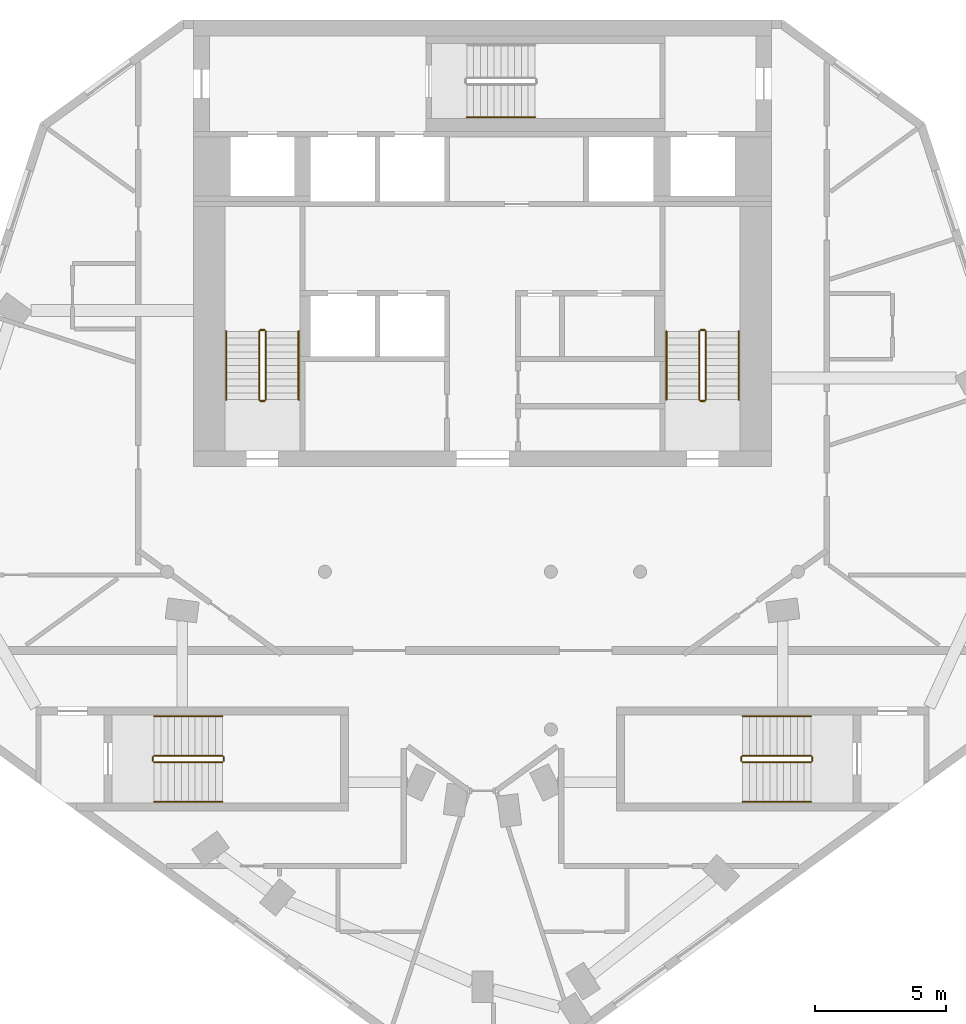
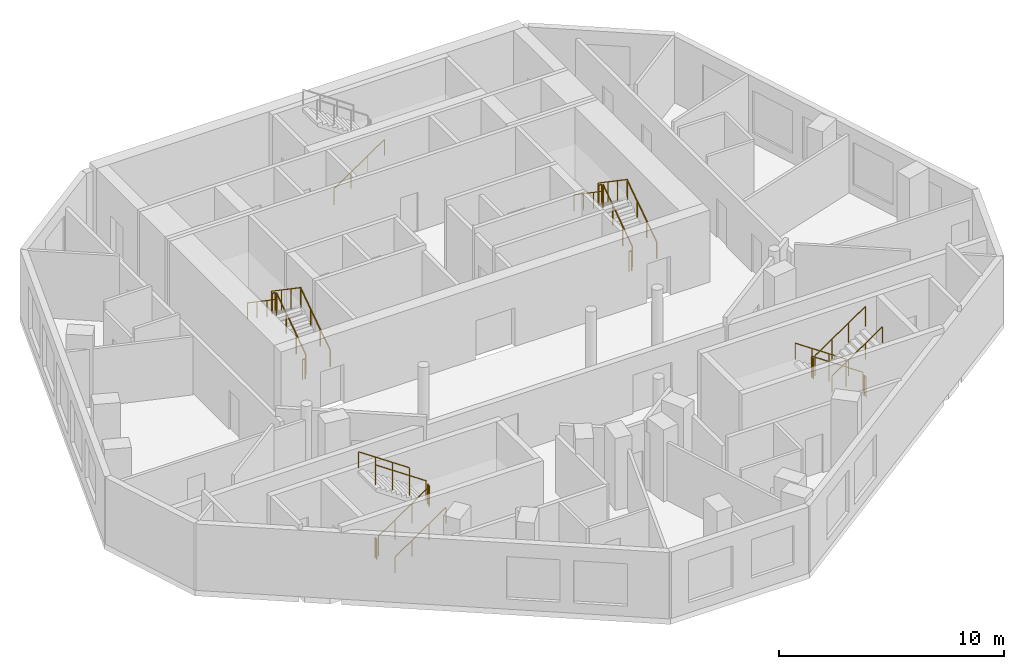
# One storey, part 7 of 8: 25 railings.
"""IFC4 building model written with IfcOpenShell, lengths in metres."""

from ifc_helpers import new_model, si_unit, direction, frame, origin, origin_2d, place, context, subcontext, project, spatial, circle, extrude, material, type_object, element, save


model = new_model("IFC4")

# Units and contexts
model_context = context("Model", 3, precision=1e-05, world=origin(), true_north=direction((0.0, 1.0)))
body_context = subcontext(model_context, "Body", "Model", "MODEL_VIEW")
ifc_project = project(units=[si_unit("LENGTHUNIT", "METRE"), si_unit("AREAUNIT", "SQUARE_METRE"), si_unit("VOLUMEUNIT", "CUBIC_METRE"), si_unit("PLANEANGLEUNIT", "RADIAN"), si_unit("MASSUNIT", "GRAM", prefix="KILO")], contexts=[model_context])

# Site, building, storey
site_placement = place(None, origin())
site = spatial("IfcSite", under=ifc_project, at=site_placement, CompositionType="ELEMENT")
building_placement = place(site_placement, origin())
building = spatial("IfcBuilding", under=site, at=building_placement, Name="White Candle Pilgrim Tower", CompositionType="ELEMENT")
storey_placement = place(building_placement, frame((0.0, 0.0, 313.89990234375)))
storey = spatial("IfcBuildingStorey", under=building, at=storey_placement, Name="L74", CompositionType="ELEMENT", Elevation=313.89990234375)

# Railings
ifc_material = material(Name="Stainless steel", Category="steel")
railing_type_1 = type_object("IfcRailingType", Name="Stair guard stainless steel 1100 mm", PredefinedType="GUARDRAIL", material=ifc_material)
railing_1_placement = place(storey_placement, frame((61.75, 73.550048828125, 0.177490234375)))
element("IfcRailing", 1, at=railing_1_placement, inside=storey, type_object=railing_type_1, Name="L74 ST1 stair guard 1", PredefinedType="GUARDRAIL", context=body_context, shape_type="SweptSolid", body=[
    extrude(circle(Radius=0.02392578125, at=origin_2d()), frame((0.0, 0.0, 1.076171875), z_axis=(0.0, 0.826215852431, 0.563353676824), x_axis=(-1.0, 0.0, 0.0)), (0.0, 0.0, 1.0), 3.146728515625),
    extrude(circle(Radius=0.02099609375, at=origin_2d()), origin(), (0.0, 0.0, 1.0), 1.052001953125),
    extrude(circle(Radius=0.02099609375, at=origin_2d()), frame((0.0, 0.86669921875, 0.5908203125)), (0.0, 0.0, 1.0), 1.052001953125),
    extrude(circle(Radius=0.02099609375, at=origin_2d()), frame((0.0, 1.733154296875, 1.181884765625)), (0.0, 0.0, 1.0), 1.052001953125),
    extrude(circle(Radius=0.02099609375, at=origin_2d()), frame((0.0, 2.599853515625, 1.772705078125)), (0.0, 0.0, 1.0), 1.052001953125),
])
railing_2_placement = place(storey_placement, frame((61.699951171875, 76.199951171875, 1.9501953125)))
element("IfcRailing", 2, at=railing_2_placement, inside=storey, type_object=railing_type_1, Name="L74 ST1 stair guard 2", PredefinedType="GUARDRAIL", context=body_context, shape_type="SweptSolid", body=[
    extrude(circle(Radius=0.02392578125, at=origin_2d()), frame((0.0, 0.0, 1.076171875), z_axis=(-1.0, 0.0, 0.0), x_axis=(0.0, -1.0, 0.0)), (0.0, 0.0, 1.0), 0.14990234375),
    extrude(circle(Radius=0.02099609375, at=origin_2d()), origin(), (0.0, 0.0, 1.0), 1.052001953125),
    extrude(circle(Radius=0.02099609375, at=origin_2d()), frame((-0.14990234375, 0.0, 0.0)), (0.0, 0.0, 1.0), 1.052001953125),
])
railing_3_placement = place(storey_placement, frame((61.5, 76.14990234375, 2.12744140625)))
element("IfcRailing", 3, at=railing_3_placement, inside=storey, type_object=railing_type_1, Name="L74 ST1 stair guard 3", PredefinedType="GUARDRAIL", context=body_context, shape_type="SweptSolid", body=[
    extrude(circle(Radius=0.02392578125, at=origin_2d()), frame((0.0, 0.0, 1.076171875), z_axis=(0.0, -0.826215852431, 0.563353676824), x_axis=(1.0, 0.0, 0.0)), (0.0, 0.0, 1.0), 3.146728515625),
    extrude(circle(Radius=0.02099609375, at=origin_2d()), origin(), (0.0, 0.0, 1.0), 1.052001953125),
    extrude(circle(Radius=0.02099609375, at=origin_2d()), frame((0.0, -0.86669921875, 0.5908203125)), (0.0, 0.0, 1.0), 1.052001953125),
    extrude(circle(Radius=0.02099609375, at=origin_2d()), frame((0.0, -1.733154296875, 1.181884765625)), (0.0, 0.0, 1.0), 1.052001953125),
    extrude(circle(Radius=0.02099609375, at=origin_2d()), frame((0.0, -2.599853515625, 1.772705078125)), (0.0, 0.0, 1.0), 1.052001953125),
])
railing_4_placement = place(storey_placement, frame((61.699951171875, 73.5, 0.0)))
element("IfcRailing", 4, at=railing_4_placement, inside=storey, type_object=railing_type_1, Name="L74 ST1 stair guard 4", PredefinedType="GUARDRAIL", context=body_context, shape_type="SweptSolid", body=[
    extrude(circle(Radius=0.02392578125, at=origin_2d()), frame((0.0, 0.0, 1.076171875), z_axis=(-1.0, 0.0, 0.0), x_axis=(0.0, -1.0, 0.0)), (0.0, 0.0, 1.0), 0.14990234375),
    extrude(circle(Radius=0.02099609375, at=origin_2d()), origin(), (0.0, 0.0, 1.0), 1.052001953125),
    extrude(circle(Radius=0.02099609375, at=origin_2d()), frame((-0.14990234375, 0.0, 0.0)), (0.0, 0.0, 1.0), 1.052001953125),
])
railing_5_placement = place(storey_placement, frame((78.5, 73.550048828125, 0.177490234375)))
element("IfcRailing", 5, at=railing_5_placement, inside=storey, type_object=railing_type_1, Name="L74 ST2 stair guard 1", PredefinedType="GUARDRAIL", context=body_context, shape_type="SweptSolid", body=[
    extrude(circle(Radius=0.02392578125, at=origin_2d()), frame((0.0, 0.0, 1.076171875), z_axis=(0.0, 0.826215852431, 0.563353676824), x_axis=(-1.0, 0.0, 0.0)), (0.0, 0.0, 1.0), 3.146728515625),
    extrude(circle(Radius=0.02099609375, at=origin_2d()), origin(), (0.0, 0.0, 1.0), 1.052001953125),
    extrude(circle(Radius=0.02099609375, at=origin_2d()), frame((0.0, 0.86669921875, 0.5908203125)), (0.0, 0.0, 1.0), 1.052001953125),
    extrude(circle(Radius=0.02099609375, at=origin_2d()), frame((0.0, 1.733154296875, 1.181884765625)), (0.0, 0.0, 1.0), 1.052001953125),
    extrude(circle(Radius=0.02099609375, at=origin_2d()), frame((0.0, 2.599853515625, 1.772705078125)), (0.0, 0.0, 1.0), 1.052001953125),
])
railing_6_placement = place(storey_placement, frame((78.449951171875, 76.199951171875, 1.9501953125)))
element("IfcRailing", 6, at=railing_6_placement, inside=storey, type_object=railing_type_1, Name="L74 ST2 stair guard 2", PredefinedType="GUARDRAIL", context=body_context, shape_type="SweptSolid", body=[
    extrude(circle(Radius=0.02392578125, at=origin_2d()), frame((0.0, 0.0, 1.076171875), z_axis=(-1.0, 0.0, 0.0), x_axis=(0.0, -1.0, 0.0)), (0.0, 0.0, 1.0), 0.14990234375),
    extrude(circle(Radius=0.02099609375, at=origin_2d()), origin(), (0.0, 0.0, 1.0), 1.052001953125),
    extrude(circle(Radius=0.02099609375, at=origin_2d()), frame((-0.14990234375, 0.0, 0.0)), (0.0, 0.0, 1.0), 1.052001953125),
])
railing_7_placement = place(storey_placement, frame((78.25, 76.14990234375, 2.12744140625)))
element("IfcRailing", 7, at=railing_7_placement, inside=storey, type_object=railing_type_1, Name="L74 ST2 stair guard 3", PredefinedType="GUARDRAIL", context=body_context, shape_type="SweptSolid", body=[
    extrude(circle(Radius=0.02392578125, at=origin_2d()), frame((0.0, 0.0, 1.076171875), z_axis=(0.0, -0.826215852431, 0.563353676824), x_axis=(1.0, 0.0, 0.0)), (0.0, 0.0, 1.0), 3.146728515625),
    extrude(circle(Radius=0.02099609375, at=origin_2d()), origin(), (0.0, 0.0, 1.0), 1.052001953125),
    extrude(circle(Radius=0.02099609375, at=origin_2d()), frame((0.0, -0.86669921875, 0.5908203125)), (0.0, 0.0, 1.0), 1.052001953125),
    extrude(circle(Radius=0.02099609375, at=origin_2d()), frame((0.0, -1.733154296875, 1.181884765625)), (0.0, 0.0, 1.0), 1.052001953125),
    extrude(circle(Radius=0.02099609375, at=origin_2d()), frame((0.0, -2.599853515625, 1.772705078125)), (0.0, 0.0, 1.0), 1.052001953125),
])
railing_8_placement = place(storey_placement, frame((78.449951171875, 73.5, 0.0)))
element("IfcRailing", 8, at=railing_8_placement, inside=storey, type_object=railing_type_1, Name="L74 ST2 stair guard 4", PredefinedType="GUARDRAIL", context=body_context, shape_type="SweptSolid", body=[
    extrude(circle(Radius=0.02392578125, at=origin_2d()), frame((0.0, 0.0, 1.076171875), z_axis=(-1.0, 0.0, 0.0), x_axis=(0.0, -1.0, 0.0)), (0.0, 0.0, 1.0), 0.14990234375),
    extrude(circle(Radius=0.02099609375, at=origin_2d()), origin(), (0.0, 0.0, 1.0), 1.052001953125),
    extrude(circle(Radius=0.02099609375, at=origin_2d()), frame((-0.14990234375, 0.0, 0.0)), (0.0, 0.0, 1.0), 1.052001953125),
])
railing_9_placement = place(storey_placement, frame((82.5, 60.0, 0.177490234375)))
element("IfcRailing", 9, at=railing_9_placement, inside=storey, type_object=railing_type_1, Name="L74 ST4 stair guard 1", PredefinedType="GUARDRAIL", context=body_context, shape_type="SweptSolid", body=[
    extrude(circle(Radius=0.02392578125, at=origin_2d()), frame((0.0, 0.0, 1.076171875), z_axis=(-0.826240473404, 0.0, 0.563317565952), x_axis=(0.0, -1.0, 0.0)), (0.0, 0.0, 1.0), 3.14697265625),
    extrude(circle(Radius=0.02099609375, at=origin_2d()), origin(), (0.0, 0.0, 1.0), 1.052001953125),
    extrude(circle(Radius=0.02099609375, at=origin_2d()), frame((-0.86669921875, 0.0, 0.5908203125)), (0.0, 0.0, 1.0), 1.052001953125),
    extrude(circle(Radius=0.02099609375, at=origin_2d()), frame((-1.7333984375, 0.0, 1.181884765625)), (0.0, 0.0, 1.0), 1.052001953125),
    extrude(circle(Radius=0.02099609375, at=origin_2d()), frame((-2.60009765625, 0.0, 1.772705078125)), (0.0, 0.0, 1.0), 1.052001953125),
])
railing_10_placement = place(storey_placement, frame((79.85009765625, 59.949951171875, 1.9501953125)))
element("IfcRailing", 10, at=railing_10_placement, inside=storey, type_object=railing_type_1, Name="L74 ST4 stair guard 2", PredefinedType="GUARDRAIL", context=body_context, shape_type="SweptSolid", body=[
    extrude(circle(Radius=0.02392578125, at=origin_2d()), frame((0.0, 0.0, 1.076171875), z_axis=(0.0, -1.0, 0.0), x_axis=(1.0, 0.0, 0.0)), (0.0, 0.0, 1.0), 0.14990234375),
    extrude(circle(Radius=0.02099609375, at=origin_2d()), origin(), (0.0, 0.0, 1.0), 1.052001953125),
    extrude(circle(Radius=0.02099609375, at=origin_2d()), frame((0.0, -0.14990234375, 0.0)), (0.0, 0.0, 1.0), 1.052001953125),
])
railing_11_placement = place(storey_placement, frame((79.89990234375, 59.75, 2.12744140625)))
element("IfcRailing", 11, at=railing_11_placement, inside=storey, type_object=railing_type_1, Name="L74 ST4 stair guard 3", PredefinedType="GUARDRAIL", context=body_context, shape_type="SweptSolid", body=[
    extrude(circle(Radius=0.02392578125, at=origin_2d()), frame((0.0, 0.0, 1.076171875), z_axis=(0.826240473404, 0.0, 0.563317565952), x_axis=(0.0, 1.0, 0.0)), (0.0, 0.0, 1.0), 3.14697265625),
    extrude(circle(Radius=0.02099609375, at=origin_2d()), origin(), (0.0, 0.0, 1.0), 1.052001953125),
    extrude(circle(Radius=0.02099609375, at=origin_2d()), frame((0.86669921875, 0.0, 0.5908203125)), (0.0, 0.0, 1.0), 1.052001953125),
    extrude(circle(Radius=0.02099609375, at=origin_2d()), frame((1.7333984375, 0.0, 1.181884765625)), (0.0, 0.0, 1.0), 1.052001953125),
    extrude(circle(Radius=0.02099609375, at=origin_2d()), frame((2.60009765625, 0.0, 1.772705078125)), (0.0, 0.0, 1.0), 1.052001953125),
])
railing_12_placement = place(storey_placement, frame((82.550048828125, 59.949951171875, 0.0)))
element("IfcRailing", 12, at=railing_12_placement, inside=storey, type_object=railing_type_1, Name="L74 ST4 stair guard 4", PredefinedType="GUARDRAIL", context=body_context, shape_type="SweptSolid", body=[
    extrude(circle(Radius=0.02392578125, at=origin_2d()), frame((0.0, 0.0, 1.076171875), z_axis=(0.0, -1.0, 0.0), x_axis=(1.0, 0.0, 0.0)), (0.0, 0.0, 1.0), 0.14990234375),
    extrude(circle(Radius=0.02099609375, at=origin_2d()), origin(), (0.0, 0.0, 1.0), 1.052001953125),
    extrude(circle(Radius=0.02099609375, at=origin_2d()), frame((0.0, -0.14990234375, 0.0)), (0.0, 0.0, 1.0), 1.052001953125),
])
railing_13_placement = place(storey_placement, frame((57.5, 59.75, 0.177490234375)))
element("IfcRailing", 13, at=railing_13_placement, inside=storey, type_object=railing_type_1, Name="L74 ST5 stair guard 1", PredefinedType="GUARDRAIL", context=body_context, shape_type="SweptSolid", body=[
    extrude(circle(Radius=0.02392578125, at=origin_2d()), frame((0.0, 0.0, 1.076171875), z_axis=(0.826240473404, 0.0, 0.563317565952), x_axis=(0.0, 1.0, 0.0)), (0.0, 0.0, 1.0), 3.14697265625),
    extrude(circle(Radius=0.02099609375, at=origin_2d()), origin(), (0.0, 0.0, 1.0), 1.052001953125),
    extrude(circle(Radius=0.02099609375, at=origin_2d()), frame((0.86669921875, 0.0, 0.5908203125)), (0.0, 0.0, 1.0), 1.052001953125),
    extrude(circle(Radius=0.02099609375, at=origin_2d()), frame((1.7333984375, 0.0, 1.181884765625)), (0.0, 0.0, 1.0), 1.052001953125),
    extrude(circle(Radius=0.02099609375, at=origin_2d()), frame((2.60009765625, 0.0, 1.772705078125)), (0.0, 0.0, 1.0), 1.052001953125),
])
railing_14_placement = place(storey_placement, frame((60.14990234375, 59.800048828125, 1.9501953125)))
element("IfcRailing", 14, at=railing_14_placement, inside=storey, type_object=railing_type_1, Name="L74 ST5 stair guard 2", PredefinedType="GUARDRAIL", context=body_context, shape_type="SweptSolid", body=[
    extrude(circle(Radius=0.02392578125, at=origin_2d()), frame((0.0, 0.0, 1.076171875), z_axis=(0.0, 1.0, 0.0), x_axis=(-1.0, 0.0, 0.0)), (0.0, 0.0, 1.0), 0.14990234375),
    extrude(circle(Radius=0.02099609375, at=origin_2d()), origin(), (0.0, 0.0, 1.0), 1.052001953125),
    extrude(circle(Radius=0.02099609375, at=origin_2d()), frame((0.0, 0.14990234375, 0.0)), (0.0, 0.0, 1.0), 1.052001953125),
])
railing_15_placement = place(storey_placement, frame((60.10009765625, 60.0, 2.12744140625)))
element("IfcRailing", 15, at=railing_15_placement, inside=storey, type_object=railing_type_1, Name="L74 ST5 stair guard 3", PredefinedType="GUARDRAIL", context=body_context, shape_type="SweptSolid", body=[
    extrude(circle(Radius=0.02392578125, at=origin_2d()), frame((0.0, 0.0, 1.076171875), z_axis=(-0.826240473404, 0.0, 0.563317565952), x_axis=(0.0, -1.0, 0.0)), (0.0, 0.0, 1.0), 3.14697265625),
    extrude(circle(Radius=0.02099609375, at=origin_2d()), origin(), (0.0, 0.0, 1.0), 1.052001953125),
    extrude(circle(Radius=0.02099609375, at=origin_2d()), frame((-0.86669921875, 0.0, 0.5908203125)), (0.0, 0.0, 1.0), 1.052001953125),
    extrude(circle(Radius=0.02099609375, at=origin_2d()), frame((-1.7333984375, 0.0, 1.181884765625)), (0.0, 0.0, 1.0), 1.052001953125),
    extrude(circle(Radius=0.02099609375, at=origin_2d()), frame((-2.60009765625, 0.0, 1.772705078125)), (0.0, 0.0, 1.0), 1.052001953125),
])
railing_16_placement = place(storey_placement, frame((57.449951171875, 59.800048828125, 0.0)))
element("IfcRailing", 16, at=railing_16_placement, inside=storey, type_object=railing_type_1, Name="L74 ST5 stair guard 4", PredefinedType="GUARDRAIL", context=body_context, shape_type="SweptSolid", body=[
    extrude(circle(Radius=0.02392578125, at=origin_2d()), frame((0.0, 0.0, 1.076171875), z_axis=(0.0, 1.0, 0.0), x_axis=(-1.0, 0.0, 0.0)), (0.0, 0.0, 1.0), 0.14990234375),
    extrude(circle(Radius=0.02099609375, at=origin_2d()), origin(), (0.0, 0.0, 1.0), 1.052001953125),
    extrude(circle(Radius=0.02099609375, at=origin_2d()), frame((0.0, 0.14990234375, 0.0)), (0.0, 0.0, 1.0), 1.052001953125),
])
railing_type_2 = type_object("IfcRailingType", Name="Stair handrail stainless steel", PredefinedType="HANDRAIL", material=ifc_material)
railing_17_placement = place(storey_placement, frame((63.0, 73.550048828125, 0.177490234375)))
element("IfcRailing", 17, at=railing_17_placement, inside=storey, type_object=railing_type_2, Name="L74 ST1 stair handrail 1", PredefinedType="HANDRAIL", context=body_context, shape_type="SweptSolid", body=[
    extrude(circle(Radius=0.02392578125, at=origin_2d()), frame((0.0, 0.0, 0.8759765625), z_axis=(0.0, 0.826215852431, 0.563353676824), x_axis=(-1.0, 0.0, 0.0)), (0.0, 0.0, 1.0), 3.146728515625),
    extrude(circle(Radius=0.02099609375, at=origin_2d()), origin(), (0.0, 0.0, 1.0), 0.851806640625),
    extrude(circle(Radius=0.02099609375, at=origin_2d()), frame((0.0, 0.86669921875, 0.5908203125)), (0.0, 0.0, 1.0), 0.851806640625),
    extrude(circle(Radius=0.02099609375, at=origin_2d()), frame((0.0, 1.733154296875, 1.181884765625)), (0.0, 0.0, 1.0), 0.851806640625),
    extrude(circle(Radius=0.02099609375, at=origin_2d()), frame((0.0, 2.599853515625, 1.772705078125)), (0.0, 0.0, 1.0), 0.851806640625),
])
railing_18_placement = place(storey_placement, frame((60.25, 76.14990234375, 2.12744140625)))
element("IfcRailing", 18, at=railing_18_placement, inside=storey, type_object=railing_type_2, Name="L74 ST1 stair handrail 2", PredefinedType="HANDRAIL", context=body_context, shape_type="SweptSolid", body=[
    extrude(circle(Radius=0.02392578125, at=origin_2d()), frame((0.0, 0.0, 0.8759765625), z_axis=(0.0, -0.826215852431, 0.563353676824), x_axis=(1.0, 0.0, 0.0)), (0.0, 0.0, 1.0), 3.146728515625),
    extrude(circle(Radius=0.02099609375, at=origin_2d()), origin(), (0.0, 0.0, 1.0), 0.851806640625),
    extrude(circle(Radius=0.02099609375, at=origin_2d()), frame((0.0, -0.86669921875, 0.5908203125)), (0.0, 0.0, 1.0), 0.851806640625),
    extrude(circle(Radius=0.02099609375, at=origin_2d()), frame((0.0, -1.733154296875, 1.181884765625)), (0.0, 0.0, 1.0), 0.851806640625),
    extrude(circle(Radius=0.02099609375, at=origin_2d()), frame((0.0, -2.599853515625, 1.772705078125)), (0.0, 0.0, 1.0), 0.851806640625),
])
railing_19_placement = place(storey_placement, frame((79.75, 73.550048828125, 0.177490234375)))
element("IfcRailing", 19, at=railing_19_placement, inside=storey, type_object=railing_type_2, Name="L74 ST2 stair handrail 1", PredefinedType="HANDRAIL", context=body_context, shape_type="SweptSolid", body=[
    extrude(circle(Radius=0.02392578125, at=origin_2d()), frame((0.0, 0.0, 0.8759765625), z_axis=(0.0, 0.826215852431, 0.563353676824), x_axis=(-1.0, 0.0, 0.0)), (0.0, 0.0, 1.0), 3.146728515625),
    extrude(circle(Radius=0.02099609375, at=origin_2d()), origin(), (0.0, 0.0, 1.0), 0.851806640625),
    extrude(circle(Radius=0.02099609375, at=origin_2d()), frame((0.0, 0.86669921875, 0.5908203125)), (0.0, 0.0, 1.0), 0.851806640625),
    extrude(circle(Radius=0.02099609375, at=origin_2d()), frame((0.0, 1.733154296875, 1.181884765625)), (0.0, 0.0, 1.0), 0.851806640625),
    extrude(circle(Radius=0.02099609375, at=origin_2d()), frame((0.0, 2.599853515625, 1.772705078125)), (0.0, 0.0, 1.0), 0.851806640625),
])
railing_20_placement = place(storey_placement, frame((77.0, 76.14990234375, 2.12744140625)))
element("IfcRailing", 20, at=railing_20_placement, inside=storey, type_object=railing_type_2, Name="L74 ST2 stair handrail 2", PredefinedType="HANDRAIL", context=body_context, shape_type="SweptSolid", body=[
    extrude(circle(Radius=0.02392578125, at=origin_2d()), frame((0.0, 0.0, 0.8759765625), z_axis=(0.0, -0.826215852431, 0.563353676824), x_axis=(1.0, 0.0, 0.0)), (0.0, 0.0, 1.0), 3.146728515625),
    extrude(circle(Radius=0.02099609375, at=origin_2d()), origin(), (0.0, 0.0, 1.0), 0.851806640625),
    extrude(circle(Radius=0.02099609375, at=origin_2d()), frame((0.0, -0.86669921875, 0.5908203125)), (0.0, 0.0, 1.0), 0.851806640625),
    extrude(circle(Radius=0.02099609375, at=origin_2d()), frame((0.0, -1.733154296875, 1.181884765625)), (0.0, 0.0, 1.0), 0.851806640625),
    extrude(circle(Radius=0.02099609375, at=origin_2d()), frame((0.0, -2.599853515625, 1.772705078125)), (0.0, 0.0, 1.0), 0.851806640625),
])
railing_21_placement = place(storey_placement, frame((69.39990234375, 84.300048828125, 0.177490234375)))
element("IfcRailing", 21, at=railing_21_placement, inside=storey, type_object=railing_type_2, Name="L74 ST3 stair handrail 1", PredefinedType="HANDRAIL", context=body_context, shape_type="SweptSolid", body=[
    extrude(circle(Radius=0.02392578125, at=origin_2d()), frame((0.0, 0.0, 0.8759765625), z_axis=(0.826240473404, 0.0, 0.563317565952), x_axis=(0.0, 1.0, 0.0)), (0.0, 0.0, 1.0), 3.14697265625),
    extrude(circle(Radius=0.02099609375, at=origin_2d()), origin(), (0.0, 0.0, 1.0), 0.851806640625),
    extrude(circle(Radius=0.02099609375, at=origin_2d()), frame((0.86669921875, 0.0, 0.5908203125)), (0.0, 0.0, 1.0), 0.851806640625),
    extrude(circle(Radius=0.02099609375, at=origin_2d()), frame((1.7333984375, 0.0, 1.181884765625)), (0.0, 0.0, 1.0), 0.851806640625),
    extrude(circle(Radius=0.02099609375, at=origin_2d()), frame((2.60009765625, 0.0, 1.772705078125)), (0.0, 0.0, 1.0), 0.851806640625),
])
railing_22_placement = place(storey_placement, frame((82.5, 61.5, 0.177490234375)))
element("IfcRailing", 22, at=railing_22_placement, inside=storey, type_object=railing_type_2, Name="L74 ST4 stair handrail 1", PredefinedType="HANDRAIL", context=body_context, shape_type="SweptSolid", body=[
    extrude(circle(Radius=0.02392578125, at=origin_2d()), frame((0.0, 0.0, 0.8759765625), z_axis=(-0.826240473404, 0.0, 0.563317565952), x_axis=(0.0, -1.0, 0.0)), (0.0, 0.0, 1.0), 3.14697265625),
    extrude(circle(Radius=0.02099609375, at=origin_2d()), origin(), (0.0, 0.0, 1.0), 0.851806640625),
    extrude(circle(Radius=0.02099609375, at=origin_2d()), frame((-0.86669921875, 0.0, 0.5908203125)), (0.0, 0.0, 1.0), 0.851806640625),
    extrude(circle(Radius=0.02099609375, at=origin_2d()), frame((-1.7333984375, 0.0, 1.181884765625)), (0.0, 0.0, 1.0), 0.851806640625),
    extrude(circle(Radius=0.02099609375, at=origin_2d()), frame((-2.60009765625, 0.0, 1.772705078125)), (0.0, 0.0, 1.0), 0.851806640625),
])
for number, where, name in (
    (23, (79.89990234375, 58.25, 2.12744140625), "L74 ST4 stair handrail 2"),
    (24, (57.5, 58.25, 0.177490234375), "L74 ST5 stair handrail 1"),
):
    element("IfcRailing", number, at=place(storey_placement, frame(where)), inside=storey, type_object=railing_type_2, Name=name, PredefinedType="HANDRAIL", context=body_context, shape_type="SweptSolid", body=[
        extrude(circle(Radius=0.02392578125, at=origin_2d()), frame((0.0, 0.0, 0.8759765625), z_axis=(0.826240473404, 0.0, 0.563317565952), x_axis=(0.0, 1.0, 0.0)), (0.0, 0.0, 1.0), 3.14697265625),
        extrude(circle(Radius=0.02099609375, at=origin_2d()), origin(), (0.0, 0.0, 1.0), 0.851806640625),
        extrude(circle(Radius=0.02099609375, at=origin_2d()), frame((0.86669921875, 0.0, 0.5908203125)), (0.0, 0.0, 1.0), 0.851806640625),
        extrude(circle(Radius=0.02099609375, at=origin_2d()), frame((1.7333984375, 0.0, 1.181884765625)), (0.0, 0.0, 1.0), 0.851806640625),
        extrude(circle(Radius=0.02099609375, at=origin_2d()), frame((2.60009765625, 0.0, 1.772705078125)), (0.0, 0.0, 1.0), 0.851806640625),
    ])
railing_23_placement = place(storey_placement, frame((60.10009765625, 61.5, 2.12744140625)))
element("IfcRailing", 25, at=railing_23_placement, inside=storey, type_object=railing_type_2, Name="L74 ST5 stair handrail 2", PredefinedType="HANDRAIL", context=body_context, shape_type="SweptSolid", body=[
    extrude(circle(Radius=0.02392578125, at=origin_2d()), frame((0.0, 0.0, 0.8759765625), z_axis=(-0.826240473404, 0.0, 0.563317565952), x_axis=(0.0, -1.0, 0.0)), (0.0, 0.0, 1.0), 3.14697265625),
    extrude(circle(Radius=0.02099609375, at=origin_2d()), origin(), (0.0, 0.0, 1.0), 0.851806640625),
    extrude(circle(Radius=0.02099609375, at=origin_2d()), frame((-0.86669921875, 0.0, 0.5908203125)), (0.0, 0.0, 1.0), 0.851806640625),
    extrude(circle(Radius=0.02099609375, at=origin_2d()), frame((-1.7333984375, 0.0, 1.181884765625)), (0.0, 0.0, 1.0), 0.851806640625),
    extrude(circle(Radius=0.02099609375, at=origin_2d()), frame((-2.60009765625, 0.0, 1.772705078125)), (0.0, 0.0, 1.0), 0.851806640625),
])

save(model, "model.ifc")
